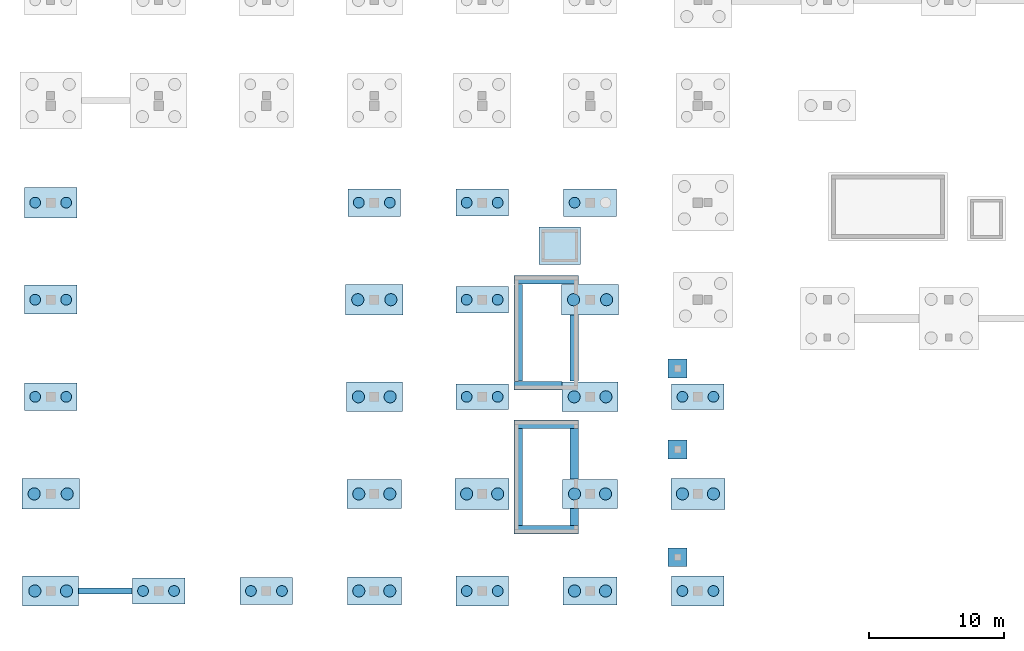
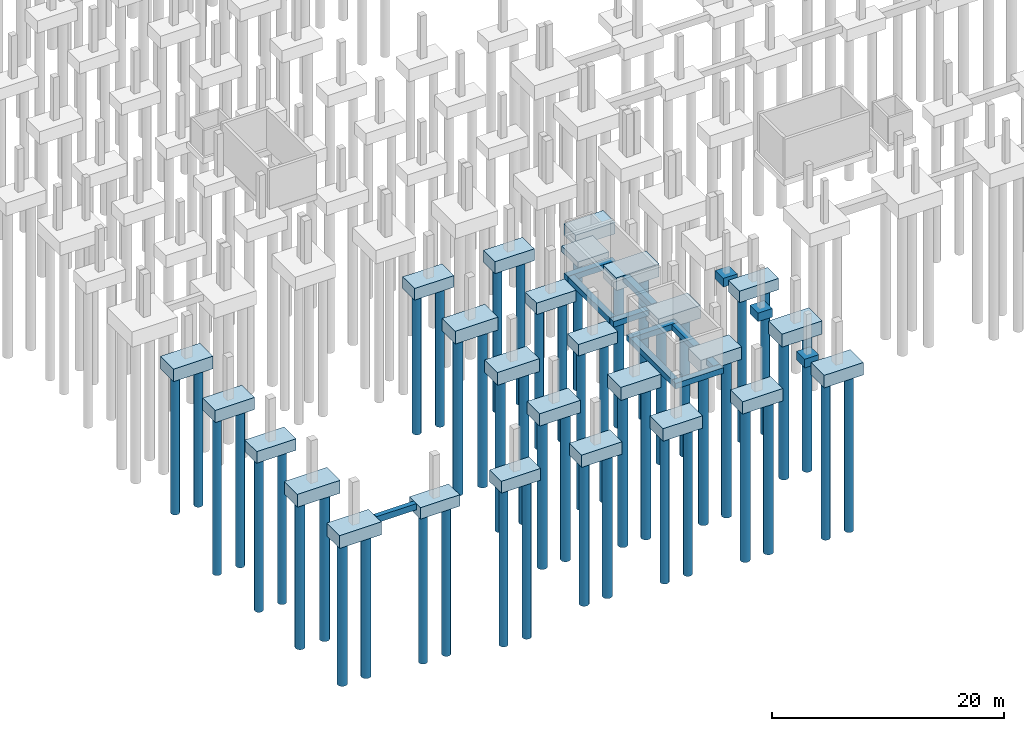
# One storey, part 1 of 36: 49 piles, 39 footings.
"""IFC4 building model written with IfcOpenShell, lengths in metres."""

from ifc_helpers import new_model, si_unit, direction, frame, origin, origin_2d, place, context, subcontext, project, spatial, rectangle, circle, extrude, material, layer, layer_set, material_profile, profile_set, type_object, element, save


model = new_model("IFC4")

# Units and contexts
model_context = context("Model", 3, precision=1e-05, world=origin(), true_north=direction((0.0, 1.0)))
body_context = subcontext(model_context, "Body", "Model", "MODEL_VIEW")
ifc_project = project(units=[si_unit("LENGTHUNIT", "METRE"), si_unit("AREAUNIT", "SQUARE_METRE"), si_unit("VOLUMEUNIT", "CUBIC_METRE"), si_unit("PLANEANGLEUNIT", "RADIAN"), si_unit("MASSUNIT", "GRAM", prefix="KILO")], contexts=[model_context])

# Site, building, storey
site_placement = place(None, origin())
site = spatial("IfcSite", under=ifc_project, at=site_placement, CompositionType="ELEMENT")
building_placement = place(site_placement, origin())
building = spatial("IfcBuilding", under=site, at=building_placement, Name="Chiffa Square Polytechnic", CompositionType="ELEMENT")
storey_placement = place(building_placement, frame((0.0, 0.0, -4.5)))
storey = spatial("IfcBuildingStorey", under=building, at=storey_placement, Name="B1", CompositionType="ELEMENT", Elevation=-4.5)

# Footings
ifc_material = material(Name="Concrete C35/45", Category="concrete")
ifc_layer_1 = layer(ifc_material, 0.659912109375, Name="Concrete C35/45")
ifc_layer_set_1 = layer_set([ifc_layer_1], Name="Concrete C35/45")
footing_type_1 = type_object("IfcFootingType", Name="FTG-BEAM-460X660", PredefinedType="FOOTING_BEAM", material=ifc_layer_set_1)
footing_1_placement = place(storey_placement, frame((4.06201171875, 0.0, -0.66015625), z_axis=(0.0, 0.0, 1.0), x_axis=(1.0, 0.0, 0.0)))
element("IfcFooting", 1, at=footing_1_placement, inside=storey, type_object=footing_type_1, Name="Footing tie beam FB-B1-049", PredefinedType="FOOTING_BEAM", context=body_context, shape_type="SweptSolid", body=[
    extrude(rectangle(XDim=3.965087890625, YDim=0.4599609375, at=origin_2d()), origin(), (0.0, 0.0, 1.0), 0.659912109375),
])
ifc_layer_2 = layer(ifc_material, 0.89990234375, Name="Concrete C35/45")
ifc_layer_set_2 = layer_set([ifc_layer_2], Name="Concrete C35/45")
footing_type_2 = type_object("IfcFootingType", Name="FTG-PAD-1400X1400X900", PredefinedType="PAD_FOOTING", material=ifc_layer_set_2)
for number, where, z_axis, x_axis, name in (
    (2, (46.5, 2.5, -0.89990234375), (0.0, 0.0, 1.0), (1.0, 0.0, 0.0), "Apron slab support pad footing PF-APR-SUP-01"),
    (3, (46.5, 10.5, -0.89990234375), (0.0, 0.0, 1.0), (1.0, 0.0, 0.0), "Apron slab support pad footing PF-APR-SUP-02"),
    (4, (46.5, 16.5, -0.89990234375), (0.0, 0.0, 1.0), (1.0, 0.0, 0.0), "Apron slab support pad footing PF-APR-SUP-03"),
):
    element("IfcFooting", number, at=place(storey_placement, frame(where, z_axis=z_axis, x_axis=x_axis)), inside=storey, type_object=footing_type_2, Name=name, PredefinedType="PAD_FOOTING", context=body_context, shape_type="SweptSolid", body=[
        extrude(rectangle(XDim=1.39990234375, YDim=1.39990234375, at=origin_2d()), origin(), (0.0, 0.0, 1.0), 0.89990234375),
    ])
ifc_layer_3 = layer(ifc_material, 0.60009765625, Name="Concrete C35/45")
ifc_layer_set_3 = layer_set([ifc_layer_3], Name="Concrete C35/45")
footing_type_3 = type_object("IfcFootingType", Name="FTG-PAD-3100X2800X600", PredefinedType="PAD_FOOTING", material=ifc_layer_set_3)
footing_2_placement = place(storey_placement, frame((37.75, 25.60009765625, -0.60009765625), z_axis=(0.0, 0.0, 1.0), x_axis=(1.0, 0.0, 0.0)))
element("IfcFooting", 5, at=footing_2_placement, inside=storey, type_object=footing_type_3, Name="Lift pit pad footing PFG-PIT-LP-V3-1", PredefinedType="PAD_FOOTING", context=body_context, shape_type="SweptSolid", body=[
    extrude(rectangle(XDim=3.10009765625, YDim=2.800048828125, at=origin_2d()), origin(), (0.0, 0.0, 1.0), 0.60009765625),
])
ifc_layer_4 = layer(ifc_material, 0.60009765625, Name="Concrete C35/45")
ifc_layer_set_4 = layer_set([ifc_layer_4], Name="Concrete C35/45")
footing_type_4 = type_object("IfcFootingType", Name="FTG-PAD-3535X620X600", PredefinedType="PAD_FOOTING", material=ifc_layer_set_4)
footing_3_placement = place(storey_placement, frame((36.137939453125, 15.22998046875, -0.60009765625), z_axis=(0.0, 0.0, 1.0), x_axis=(1.0, 0.0, 0.0)))
element("IfcFooting", 6, at=footing_3_placement, inside=storey, type_object=footing_type_4, Name="Core pad footing PFG-CORE-CORE-V3B-S1", PredefinedType="PAD_FOOTING", context=body_context, shape_type="SweptSolid", body=[
    extrude(rectangle(XDim=3.534912109375, YDim=0.6201171875, at=origin_2d()), origin(), (0.0, 0.0, 1.0), 0.60009765625),
])
ifc_layer_5 = layer(ifc_material, 0.60009765625, Name="Concrete C35/45")
ifc_layer_set_5 = layer_set([ifc_layer_5], Name="Concrete C35/45")
footing_type_5 = type_object("IfcFootingType", Name="FTG-PAD-4760X620X600", PredefinedType="PAD_FOOTING", material=ifc_layer_set_5)
for number, where, z_axis, x_axis, name in (
    (7, (36.75, 4.530029296875, -0.60009765625), (0.0, 0.0, 1.0), (1.0, 0.0, 0.0), "Core pad footing PFG-CORE-CORE-V3A-S1"),
    (8, (36.75, 12.3701171875, -0.60009765625), (0.0, 0.0, 1.0), (1.0, 0.0, 0.0), "Core pad footing PFG-CORE-CORE-V3A-N1"),
    (9, (36.75, 23.070068359375, -0.60009765625), (0.0, 0.0, 1.0), (1.0, 0.0, 0.0), "Core pad footing PFG-CORE-CORE-V3B-N1"),
):
    element("IfcFooting", number, at=place(storey_placement, frame(where, z_axis=z_axis, x_axis=x_axis)), inside=storey, type_object=footing_type_5, Name=name, PredefinedType="PAD_FOOTING", context=body_context, shape_type="SweptSolid", body=[
        extrude(rectangle(XDim=4.760009765625, YDim=0.6201171875, at=origin_2d()), origin(), (0.0, 0.0, 1.0), 0.60009765625),
    ])
ifc_layer_6 = layer(ifc_material, 0.60009765625, Name="Concrete C35/45")
ifc_layer_set_6 = layer_set([ifc_layer_6], Name="Concrete C35/45")
footing_type_6 = type_object("IfcFootingType", Name="FTG-PAD-620X1245X600", PredefinedType="PAD_FOOTING", material=ifc_layer_set_6)
footing_4_placement = place(storey_placement, frame((38.820068359375, 5.48193359375, -0.60009765625), z_axis=(0.0, 0.0, 1.0), x_axis=(1.0, 0.0, 0.0)))
element("IfcFooting", 10, at=footing_4_placement, inside=storey, type_object=footing_type_6, Name="Core pad footing PFG-CORE-CORE-V3A-E1", PredefinedType="PAD_FOOTING", context=body_context, shape_type="SweptSolid", body=[
    extrude(rectangle(XDim=0.6201171875, YDim=1.2451171875, at=origin_2d()), origin(), (0.0, 0.0, 1.0), 0.60009765625),
])
ifc_layer_7 = layer(ifc_material, 0.60009765625, Name="Concrete C35/45")
ifc_layer_set_7 = layer_set([ifc_layer_7], Name="Concrete C35/45")
footing_type_7 = type_object("IfcFootingType", Name="FTG-PAD-620X3745X600", PredefinedType="PAD_FOOTING", material=ifc_layer_set_7)
footing_5_placement = place(storey_placement, frame((38.820068359375, 10.16796875, -0.60009765625), z_axis=(0.0, 0.0, 1.0), x_axis=(1.0, 0.0, 0.0)))
element("IfcFooting", 11, at=footing_5_placement, inside=storey, type_object=footing_type_7, Name="Core pad footing PFG-CORE-CORE-V3A-E2", PredefinedType="PAD_FOOTING", context=body_context, shape_type="SweptSolid", body=[
    extrude(rectangle(XDim=0.6201171875, YDim=3.7451171875, at=origin_2d()), origin(), (0.0, 0.0, 1.0), 0.60009765625),
])
ifc_layer_8 = layer(ifc_material, 0.60009765625, Name="Concrete C35/45")
ifc_layer_set_8 = layer_set([ifc_layer_8], Name="Concrete C35/45")
footing_type_8 = type_object("IfcFootingType", Name="FTG-PAD-620X4895X600", PredefinedType="PAD_FOOTING", material=ifc_layer_set_8)
footing_6_placement = place(storey_placement, frame((38.820068359375, 18.008056640625, -0.60009765625), z_axis=(0.0, 0.0, 1.0), x_axis=(1.0, 0.0, 0.0)))
element("IfcFooting", 12, at=footing_6_placement, inside=storey, type_object=footing_type_8, Name="Core pad footing PFG-CORE-CORE-V3B-E1", PredefinedType="PAD_FOOTING", context=body_context, shape_type="SweptSolid", body=[
    extrude(rectangle(XDim=0.6201171875, YDim=4.89501953125, at=origin_2d()), origin(), (0.0, 0.0, 1.0), 0.60009765625),
])
ifc_layer_9 = layer(ifc_material, 0.60009765625, Name="Concrete C35/45")
ifc_layer_set_9 = layer_set([ifc_layer_9], Name="Concrete C35/45")
footing_type_9 = type_object("IfcFootingType", Name="FTG-PAD-620X7180X600", PredefinedType="PAD_FOOTING", material=ifc_layer_set_9)
for number, where, z_axis, x_axis, name in (
    (13, (34.679931640625, 8.449951171875, -0.60009765625), (0.0, 0.0, 1.0), (1.0, 0.0, 0.0), "Core pad footing PFG-CORE-CORE-V3A-W1"),
    (14, (34.679931640625, 19.14990234375, -0.60009765625), (0.0, 0.0, 1.0), (1.0, 0.0, 0.0), "Core pad footing PFG-CORE-CORE-V3B-W1"),
):
    element("IfcFooting", number, at=place(storey_placement, frame(where, z_axis=z_axis, x_axis=x_axis)), inside=storey, type_object=footing_type_9, Name=name, PredefinedType="PAD_FOOTING", context=body_context, shape_type="SweptSolid", body=[
        extrude(rectangle(XDim=0.6201171875, YDim=7.179931640625, at=origin_2d()), origin(), (0.0, 0.0, 1.0), 0.60009765625),
    ])
ifc_layer_10 = layer(ifc_material, 1.199951171875, Name="Concrete C35/45")
ifc_layer_set_10 = layer_set([ifc_layer_10], Name="Concrete C35/45")
footing_type_10 = type_object("IfcFootingType", Name="FTG-PC-3900X1900X1200", PredefinedType="PILE_CAP", material=ifc_layer_set_10)
for number, where, z_axis, x_axis, name in (
    (15, (8.0, 0.0, -1.2001953125), (0.0, 0.0, 1.0), (1.0, 0.0, 0.0), "Pile cap PC-B1-057"),
    (16, (32.0, 14.39990234375, -1.2001953125), (0.0, 0.0, 1.0), (1.0, 0.0, 0.0), "Pile cap PC-B1-069"),
    (17, (48.0, 14.39990234375, -1.2001953125), (0.0, 0.0, 1.0), (1.0, 0.0, 0.0), "Pile cap PC-B1-081"),
):
    element("IfcFooting", number, at=place(storey_placement, frame(where, z_axis=z_axis, x_axis=x_axis)), inside=storey, type_object=footing_type_10, Name=name, PredefinedType="PILE_CAP", context=body_context, shape_type="SweptSolid", body=[
        extrude(rectangle(XDim=3.89990234375, YDim=1.89990234375, at=origin_2d()), origin(), (0.0, 0.0, 1.0), 1.199951171875),
    ])
ifc_layer_11 = layer(ifc_material, 1.199951171875, Name="Concrete C35/45")
ifc_layer_set_11 = layer_set([ifc_layer_11], Name="Concrete C35/45")
footing_type_11 = type_object("IfcFootingType", Name="FTG-PC-3900X1950X1200", PredefinedType="PILE_CAP", material=ifc_layer_set_11)
footing_7_placement = place(storey_placement, frame((32.0, 21.60009765625, -1.2001953125), z_axis=(0.0, 0.0, 1.0), x_axis=(1.0, 0.0, 0.0)))
element("IfcFooting", 18, at=footing_7_placement, inside=storey, type_object=footing_type_11, Name="Pile cap PC-B1-070", PredefinedType="PILE_CAP", context=body_context, shape_type="SweptSolid", body=[
    extrude(rectangle(XDim=3.89990234375, YDim=1.949951171875, at=origin_2d()), origin(), (0.0, 0.0, 1.0), 1.199951171875),
])
ifc_layer_12 = layer(ifc_material, 1.25, Name="Concrete C35/45")
ifc_layer_set_12 = layer_set([ifc_layer_12], Name="Concrete C35/45")
footing_type_12 = type_object("IfcFootingType", Name="FTG-PC-3900X2000X1250", PredefinedType="PILE_CAP", material=ifc_layer_set_12)
for number, where, z_axis, x_axis, name in (
    (19, (16.0, 0.0, -1.25), (0.0, 0.0, 1.0), (1.0, 0.0, 0.0), "Pile cap PC-B1-059"),
    (20, (32.0, 28.800048828125, -1.25), (0.0, 0.0, 1.0), (1.0, 0.0, 0.0), "Pile cap PC-B1-071"),
):
    element("IfcFooting", number, at=place(storey_placement, frame(where, z_axis=z_axis, x_axis=x_axis)), inside=storey, type_object=footing_type_12, Name=name, PredefinedType="PILE_CAP", context=body_context, shape_type="SweptSolid", body=[
        extrude(rectangle(XDim=3.89990234375, YDim=2.0, at=origin_2d()), origin(), (0.0, 0.0, 1.0), 1.25),
    ])
ifc_layer_13 = layer(ifc_material, 1.219970703125, Name="Concrete C35/45")
ifc_layer_set_13 = layer_set([ifc_layer_13], Name="Concrete C35/45")
footing_type_13 = type_object("IfcFootingType", Name="FTG-PC-3900X2050X1220", PredefinedType="PILE_CAP", material=ifc_layer_set_13)
for number, where, z_axis, x_axis, name in (
    (21, (0.0, 14.39990234375, -1.22021484375), (0.0, 0.0, 1.0), (1.0, 0.0, 0.0), "Pile cap PC-B1-053"),
    (22, (24.0, 28.800048828125, -1.22021484375), (0.0, 0.0, 1.0), (1.0, 0.0, 0.0), "Pile cap PC-B1-065"),
    (23, (40.0, 28.800048828125, -1.22021484375), (0.0, 0.0, 1.0), (1.0, 0.0, 0.0), "Pile cap PC-B1-077"),
):
    element("IfcFooting", number, at=place(storey_placement, frame(where, z_axis=z_axis, x_axis=x_axis)), inside=storey, type_object=footing_type_13, Name=name, PredefinedType="PILE_CAP", context=body_context, shape_type="SweptSolid", body=[
        extrude(rectangle(XDim=3.89990234375, YDim=2.050048828125, at=origin_2d()), origin(), (0.0, 0.0, 1.0), 1.219970703125),
    ])
ifc_layer_14 = layer(ifc_material, 1.280029296875, Name="Concrete C35/45")
ifc_layer_set_14 = layer_set([ifc_layer_14], Name="Concrete C35/45")
footing_type_14 = type_object("IfcFootingType", Name="FTG-PC-3900X2150X1280", PredefinedType="PILE_CAP", material=ifc_layer_set_14)
footing_8_placement = place(storey_placement, frame((0.0, 21.60009765625, -1.27978515625), z_axis=(0.0, 0.0, 1.0), x_axis=(1.0, 0.0, 0.0)))
element("IfcFooting", 24, at=footing_8_placement, inside=storey, type_object=footing_type_14, Name="Pile cap PC-B1-054", PredefinedType="PILE_CAP", context=body_context, shape_type="SweptSolid", body=[
    extrude(rectangle(XDim=3.89990234375, YDim=2.14990234375, at=origin_2d()), origin(), (0.0, 0.0, 1.0), 1.280029296875),
])
ifc_layer_15 = layer(ifc_material, 1.320068359375, Name="Concrete C35/45")
ifc_layer_set_15 = layer_set([ifc_layer_15], Name="Concrete C35/45")
footing_type_15 = type_object("IfcFootingType", Name="FTG-PC-3900X2250X1320", PredefinedType="PILE_CAP", material=ifc_layer_set_15)
for number, where, z_axis, x_axis, name in (
    (25, (0.0, 28.800048828125, -1.31982421875), (0.0, 0.0, 1.0), (1.0, 0.0, 0.0), "Pile cap PC-B1-055"),
    (26, (32.0, 0.0, -1.31982421875), (0.0, 0.0, 1.0), (1.0, 0.0, 0.0), "Pile cap PC-B1-067"),
    (27, (48.0, 0.0, -1.31982421875), (0.0, 0.0, 1.0), (1.0, 0.0, 0.0), "Pile cap PC-B1-079"),
):
    element("IfcFooting", number, at=place(storey_placement, frame(where, z_axis=z_axis, x_axis=x_axis)), inside=storey, type_object=footing_type_15, Name=name, PredefinedType="PILE_CAP", context=body_context, shape_type="SweptSolid", body=[
        extrude(rectangle(XDim=3.89990234375, YDim=2.25, at=origin_2d()), origin(), (0.0, 0.0, 1.0), 1.320068359375),
    ])
ifc_layer_16 = layer(ifc_material, 1.300048828125, Name="Concrete C35/45")
ifc_layer_set_16 = layer_set([ifc_layer_16], Name="Concrete C35/45")
footing_type_16 = type_object("IfcFootingType", Name="FTG-PC-4000X2100X1300", PredefinedType="PILE_CAP", material=ifc_layer_set_16)
for number, where, z_axis, x_axis, name in (
    (28, (24.0, 0.0, -1.2998046875), (0.0, 0.0, 1.0), (1.0, 0.0, 0.0), "Pile cap PC-B1-061"),
    (29, (40.0, 0.0, -1.2998046875), (0.0, 0.0, 1.0), (1.0, 0.0, 0.0), "Pile cap PC-B1-073"),
):
    element("IfcFooting", number, at=place(storey_placement, frame(where, z_axis=z_axis, x_axis=x_axis)), inside=storey, type_object=footing_type_16, Name=name, PredefinedType="PILE_CAP", context=body_context, shape_type="SweptSolid", body=[
        extrude(rectangle(XDim=4.0, YDim=2.10009765625, at=origin_2d()), origin(), (0.0, 0.0, 1.0), 1.300048828125),
    ])
ifc_layer_17 = layer(ifc_material, 1.3798828125, Name="Concrete C35/45")
ifc_layer_set_17 = layer_set([ifc_layer_17], Name="Concrete C35/45")
footing_type_17 = type_object("IfcFootingType", Name="FTG-PC-4000X2300X1380", PredefinedType="PILE_CAP", material=ifc_layer_set_17)
for number, where, z_axis, x_axis, name in (
    (30, (32.0, 7.199951171875, -1.3798828125), (0.0, 0.0, 1.0), (1.0, 0.0, 0.0), "Pile cap PC-B1-068"),
    (31, (48.0, 7.199951171875, -1.3798828125), (0.0, 0.0, 1.0), (1.0, 0.0, 0.0), "Pile cap PC-B1-080"),
):
    element("IfcFooting", number, at=place(storey_placement, frame(where, z_axis=z_axis, x_axis=x_axis)), inside=storey, type_object=footing_type_17, Name=name, PredefinedType="PILE_CAP", context=body_context, shape_type="SweptSolid", body=[
        extrude(rectangle(XDim=4.0, YDim=2.300048828125, at=origin_2d()), origin(), (0.0, 0.0, 1.0), 1.3798828125),
    ])
ifc_layer_18 = layer(ifc_material, 1.300048828125, Name="Concrete C35/45")
ifc_layer_set_18 = layer_set([ifc_layer_18], Name="Concrete C35/45")
footing_type_18 = type_object("IfcFootingType", Name="FTG-PC-4050X2150X1300", PredefinedType="PILE_CAP", material=ifc_layer_set_18)
for number, where, z_axis, x_axis, name in (
    (32, (24.0, 7.199951171875, -1.2998046875), (0.0, 0.0, 1.0), (1.0, 0.0, 0.0), "Pile cap PC-B1-062"),
    (33, (40.0, 7.199951171875, -1.2998046875), (0.0, 0.0, 1.0), (1.0, 0.0, 0.0), "Pile cap PC-B1-074"),
):
    element("IfcFooting", number, at=place(storey_placement, frame(where, z_axis=z_axis, x_axis=x_axis)), inside=storey, type_object=footing_type_18, Name=name, PredefinedType="PILE_CAP", context=body_context, shape_type="SweptSolid", body=[
        extrude(rectangle(XDim=4.050048828125, YDim=2.14990234375, at=origin_2d()), origin(), (0.0, 0.0, 1.0), 1.300048828125),
    ])
ifc_layer_19 = layer(ifc_material, 1.35009765625, Name="Concrete C35/45")
ifc_layer_set_19 = layer_set([ifc_layer_19], Name="Concrete C35/45")
footing_type_19 = type_object("IfcFootingType", Name="FTG-PC-4150X2200X1350", PredefinedType="PILE_CAP", material=ifc_layer_set_19)
for number, where, z_axis, x_axis, name in (
    (34, (0.0, 0.0, -1.35009765625), (0.0, 0.0, 1.0), (1.0, 0.0, 0.0), "Pile cap PC-B1-051"),
    (35, (24.0, 14.39990234375, -1.35009765625), (0.0, 0.0, 1.0), (1.0, 0.0, 0.0), "Pile cap PC-B1-063"),
    (36, (40.0, 14.39990234375, -1.35009765625), (0.0, 0.0, 1.0), (1.0, 0.0, 0.0), "Pile cap PC-B1-075"),
):
    element("IfcFooting", number, at=place(storey_placement, frame(where, z_axis=z_axis, x_axis=x_axis)), inside=storey, type_object=footing_type_19, Name=name, PredefinedType="PILE_CAP", context=body_context, shape_type="SweptSolid", body=[
        extrude(rectangle(XDim=4.14990234375, YDim=2.199951171875, at=origin_2d()), origin(), (0.0, 0.0, 1.0), 1.35009765625),
    ])
ifc_layer_20 = layer(ifc_material, 1.35009765625, Name="Concrete C35/45")
ifc_layer_set_20 = layer_set([ifc_layer_20], Name="Concrete C35/45")
footing_type_20 = type_object("IfcFootingType", Name="FTG-PC-4250X2250X1350", PredefinedType="PILE_CAP", material=ifc_layer_set_20)
for number, where, z_axis, x_axis, name in (
    (37, (0.0, 7.199951171875, -1.35009765625), (0.0, 0.0, 1.0), (1.0, 0.0, 0.0), "Pile cap PC-B1-052"),
    (38, (24.0, 21.60009765625, -1.35009765625), (0.0, 0.0, 1.0), (1.0, 0.0, 0.0), "Pile cap PC-B1-064"),
    (39, (40.0, 21.60009765625, -1.35009765625), (0.0, 0.0, 1.0), (1.0, 0.0, 0.0), "Pile cap PC-B1-076"),
):
    element("IfcFooting", number, at=place(storey_placement, frame(where, z_axis=z_axis, x_axis=x_axis)), inside=storey, type_object=footing_type_20, Name=name, PredefinedType="PILE_CAP", context=body_context, shape_type="SweptSolid", body=[
        extrude(rectangle(XDim=4.25, YDim=2.25, at=origin_2d()), origin(), (0.0, 0.0, 1.0), 1.35009765625),
    ])

# Piles
ifc_material_profile_1 = material_profile(ifc_material, circle(Radius=0.39990234375, at=origin_2d()), Name="PILE D800")
ifc_profile_set_1 = profile_set([ifc_material_profile_1], Name="Concrete C35/45")
pile_type_1 = type_object("IfcPileType", Name="PILE-D800", PredefinedType="BORED", material=ifc_profile_set_1)
for number, where, z_axis, x_axis, name in (
    (40, (-1.14990234375, 14.39990234375, -1.1201171875), (0.0, 0.0, -1.0), (1.0, 0.0, 0.0), "Bored pile PL-B1--012-0144-1"),
    (41, (1.14990234375, 14.39990234375, -1.1201171875), (0.0, 0.0, -1.0), (1.0, 0.0, 0.0), "Bored pile PL-B1-0012-0144-2"),
):
    element("IfcPile", number, at=place(storey_placement, frame(where, z_axis=z_axis, x_axis=x_axis)), inside=storey, type_object=pile_type_1, Name=name, PredefinedType="BORED", context=body_context, shape_type="SweptSolid", body=[
        extrude(circle(Radius=0.39990234375, at=origin_2d()), origin(), (0.0, 0.0, 1.0), 16.3798828125),
    ])
for number, where, z_axis, x_axis, name in (
    (42, (-1.14990234375, 21.60009765625, -1.179931640625), (0.0, 0.0, -1.0), (1.0, 0.0, 0.0), "Bored pile PL-B1--012-0216-1"),
    (43, (1.14990234375, 21.60009765625, -1.179931640625), (0.0, 0.0, -1.0), (1.0, 0.0, 0.0), "Bored pile PL-B1-0012-0216-2"),
):
    element("IfcPile", number, at=place(storey_placement, frame(where, z_axis=z_axis, x_axis=x_axis)), inside=storey, type_object=pile_type_1, Name=name, PredefinedType="BORED", context=body_context, shape_type="SweptSolid", body=[
        extrude(circle(Radius=0.39990234375, at=origin_2d()), origin(), (0.0, 0.0, 1.0), 16.820068359375),
    ])
for number, where, z_axis, x_axis, name in (
    (44, (-1.14990234375, 28.800048828125, -1.219970703125), (0.0, 0.0, -1.0), (1.0, 0.0, 0.0), "Bored pile PL-B1--012-0288-1"),
    (45, (1.14990234375, 28.800048828125, -1.219970703125), (0.0, 0.0, -1.0), (1.0, 0.0, 0.0), "Bored pile PL-B1-0012-0288-2"),
):
    element("IfcPile", number, at=place(storey_placement, frame(where, z_axis=z_axis, x_axis=x_axis)), inside=storey, type_object=pile_type_1, Name=name, PredefinedType="BORED", context=body_context, shape_type="SweptSolid", body=[
        extrude(circle(Radius=0.39990234375, at=origin_2d()), origin(), (0.0, 0.0, 1.0), 14.780029296875),
    ])
for number, where, z_axis, x_axis, name in (
    (46, (6.85009765625, 0.0, -1.10009765625), (0.0, 0.0, -1.0), (1.0, 0.0, 0.0), "Bored pile PL-B1-0068-0000-1"),
    (47, (9.14990234375, 0.0, -1.10009765625), (0.0, 0.0, -1.0), (1.0, 0.0, 0.0), "Bored pile PL-B1-0092-0000-2"),
):
    element("IfcPile", number, at=place(storey_placement, frame(where, z_axis=z_axis, x_axis=x_axis)), inside=storey, type_object=pile_type_1, Name=name, PredefinedType="BORED", context=body_context, shape_type="SweptSolid", body=[
        extrude(circle(Radius=0.39990234375, at=origin_2d()), origin(), (0.0, 0.0, 1.0), 15.89990234375),
    ])
for number, where, z_axis, x_axis, name in (
    (48, (14.85009765625, 0.0, -1.14990234375), (0.0, 0.0, -1.0), (1.0, 0.0, 0.0), "Bored pile PL-B1-0148-0000-1"),
    (49, (17.14990234375, 0.0, -1.14990234375), (0.0, 0.0, -1.0), (1.0, 0.0, 0.0), "Bored pile PL-B1-0172-0000-2"),
):
    element("IfcPile", number, at=place(storey_placement, frame(where, z_axis=z_axis, x_axis=x_axis)), inside=storey, type_object=pile_type_1, Name=name, PredefinedType="BORED", context=body_context, shape_type="SweptSolid", body=[
        extrude(circle(Radius=0.39990234375, at=origin_2d()), origin(), (0.0, 0.0, 1.0), 16.85009765625),
    ])
for number, where, z_axis, x_axis, name in (
    (50, (22.85009765625, 28.800048828125, -1.1201171875), (0.0, 0.0, -1.0), (1.0, 0.0, 0.0), "Bored pile PL-B1-0228-0288-1"),
    (51, (25.14990234375, 28.800048828125, -1.1201171875), (0.0, 0.0, -1.0), (1.0, 0.0, 0.0), "Bored pile PL-B1-0252-0288-2"),
):
    element("IfcPile", number, at=place(storey_placement, frame(where, z_axis=z_axis, x_axis=x_axis)), inside=storey, type_object=pile_type_1, Name=name, PredefinedType="BORED", context=body_context, shape_type="SweptSolid", body=[
        extrude(circle(Radius=0.39990234375, at=origin_2d()), origin(), (0.0, 0.0, 1.0), 14.8798828125),
    ])
for number, where, z_axis, x_axis, name in (
    (52, (30.85009765625, 0.0, -1.219970703125), (0.0, 0.0, -1.0), (1.0, 0.0, 0.0), "Bored pile PL-B1-0308-0000-1"),
    (53, (33.14990234375, 0.0, -1.219970703125), (0.0, 0.0, -1.0), (1.0, 0.0, 0.0), "Bored pile PL-B1-0332-0000-2"),
):
    element("IfcPile", number, at=place(storey_placement, frame(where, z_axis=z_axis, x_axis=x_axis)), inside=storey, type_object=pile_type_1, Name=name, PredefinedType="BORED", context=body_context, shape_type="SweptSolid", body=[
        extrude(circle(Radius=0.39990234375, at=origin_2d()), origin(), (0.0, 0.0, 1.0), 15.780029296875),
    ])
for number, where, z_axis, x_axis, name in (
    (54, (30.85009765625, 14.39990234375, -1.10009765625), (0.0, 0.0, -1.0), (1.0, 0.0, 0.0), "Bored pile PL-B1-0308-0144-1"),
    (55, (33.14990234375, 14.39990234375, -1.10009765625), (0.0, 0.0, -1.0), (1.0, 0.0, 0.0), "Bored pile PL-B1-0332-0144-2"),
):
    element("IfcPile", number, at=place(storey_placement, frame(where, z_axis=z_axis, x_axis=x_axis)), inside=storey, type_object=pile_type_1, Name=name, PredefinedType="BORED", context=body_context, shape_type="SweptSolid", body=[
        extrude(circle(Radius=0.39990234375, at=origin_2d()), origin(), (0.0, 0.0, 1.0), 16.89990234375),
    ])
for number, where, z_axis, x_axis, name in (
    (56, (30.85009765625, 21.60009765625, -1.10009765625), (0.0, 0.0, -1.0), (1.0, 0.0, 0.0), "Bored pile PL-B1-0308-0216-1"),
    (57, (33.14990234375, 21.60009765625, -1.10009765625), (0.0, 0.0, -1.0), (1.0, 0.0, 0.0), "Bored pile PL-B1-0332-0216-2"),
):
    element("IfcPile", number, at=place(storey_placement, frame(where, z_axis=z_axis, x_axis=x_axis)), inside=storey, type_object=pile_type_1, Name=name, PredefinedType="BORED", context=body_context, shape_type="SweptSolid", body=[
        extrude(circle(Radius=0.39990234375, at=origin_2d()), origin(), (0.0, 0.0, 1.0), 14.89990234375),
    ])
for number, where, z_axis, x_axis, name in (
    (58, (30.85009765625, 28.800048828125, -1.14990234375), (0.0, 0.0, -1.0), (1.0, 0.0, 0.0), "Bored pile PL-B1-0308-0288-1"),
    (59, (33.14990234375, 28.800048828125, -1.14990234375), (0.0, 0.0, -1.0), (1.0, 0.0, 0.0), "Bored pile PL-B1-0332-0288-2"),
):
    element("IfcPile", number, at=place(storey_placement, frame(where, z_axis=z_axis, x_axis=x_axis)), inside=storey, type_object=pile_type_1, Name=name, PredefinedType="BORED", context=body_context, shape_type="SweptSolid", body=[
        extrude(circle(Radius=0.39990234375, at=origin_2d()), origin(), (0.0, 0.0, 1.0), 15.35009765625),
    ])
pile_placement = place(storey_placement, frame((38.85009765625, 28.800048828125, -1.1201171875), z_axis=(0.0, 0.0, -1.0), x_axis=(1.0, 0.0, 0.0)))
element("IfcPile", 60, at=pile_placement, inside=storey, type_object=pile_type_1, Name="Bored pile PL-B1-0388-0288-1", PredefinedType="BORED", context=body_context, shape_type="SweptSolid", body=[
    extrude(circle(Radius=0.39990234375, at=origin_2d()), origin(), (0.0, 0.0, 1.0), 15.8798828125),
])
for number, where, z_axis, x_axis, name in (
    (61, (46.85009765625, 0.0, -1.219970703125), (0.0, 0.0, -1.0), (1.0, 0.0, 0.0), "Bored pile PL-B1-0468-0000-1"),
    (62, (49.14990234375, 0.0, -1.219970703125), (0.0, 0.0, -1.0), (1.0, 0.0, 0.0), "Bored pile PL-B1-0492-0000-2"),
):
    element("IfcPile", number, at=place(storey_placement, frame(where, z_axis=z_axis, x_axis=x_axis)), inside=storey, type_object=pile_type_1, Name=name, PredefinedType="BORED", context=body_context, shape_type="SweptSolid", body=[
        extrude(circle(Radius=0.39990234375, at=origin_2d()), origin(), (0.0, 0.0, 1.0), 16.780029296875),
    ])
for number, where, z_axis, x_axis, name in (
    (63, (46.85009765625, 14.39990234375, -1.10009765625), (0.0, 0.0, -1.0), (1.0, 0.0, 0.0), "Bored pile PL-B1-0468-0144-1"),
    (64, (49.14990234375, 14.39990234375, -1.10009765625), (0.0, 0.0, -1.0), (1.0, 0.0, 0.0), "Bored pile PL-B1-0492-0144-2"),
):
    element("IfcPile", number, at=place(storey_placement, frame(where, z_axis=z_axis, x_axis=x_axis)), inside=storey, type_object=pile_type_1, Name=name, PredefinedType="BORED", context=body_context, shape_type="SweptSolid", body=[
        extrude(circle(Radius=0.39990234375, at=origin_2d()), origin(), (0.0, 0.0, 1.0), 15.39990234375),
    ])
ifc_material_profile_2 = material_profile(ifc_material, circle(Radius=0.449951171875, at=origin_2d()), Name="PILE D900")
ifc_profile_set_2 = profile_set([ifc_material_profile_2], Name="Concrete C35/45")
pile_type_2 = type_object("IfcPileType", Name="PILE-D900", PredefinedType="BORED", material=ifc_profile_set_2)
for number, where, z_axis, x_axis, name in (
    (65, (-1.175048828125, 0.0, -1.25), (0.0, 0.0, -1.0), (1.0, 0.0, 0.0), "Bored pile PL-B1--012-0000-1"),
    (66, (1.175048828125, 0.0, -1.25), (0.0, 0.0, -1.0), (1.0, 0.0, 0.0), "Bored pile PL-B1-0012-0000-2"),
):
    element("IfcPile", number, at=place(storey_placement, frame(where, z_axis=z_axis, x_axis=x_axis)), inside=storey, type_object=pile_type_2, Name=name, PredefinedType="BORED", context=body_context, shape_type="SweptSolid", body=[
        extrude(circle(Radius=0.449951171875, at=origin_2d()), origin(), (0.0, 0.0, 1.0), 15.25),
    ])
for number, where, z_axis, x_axis, name in (
    (67, (-1.22509765625, 7.199951171875, -1.25), (0.0, 0.0, -1.0), (1.0, 0.0, 0.0), "Bored pile PL-B1--012-0072-1"),
    (68, (1.22509765625, 7.199951171875, -1.25), (0.0, 0.0, -1.0), (1.0, 0.0, 0.0), "Bored pile PL-B1-0012-0072-2"),
):
    element("IfcPile", number, at=place(storey_placement, frame(where, z_axis=z_axis, x_axis=x_axis)), inside=storey, type_object=pile_type_2, Name=name, PredefinedType="BORED", context=body_context, shape_type="SweptSolid", body=[
        extrude(circle(Radius=0.449951171875, at=origin_2d()), origin(), (0.0, 0.0, 1.0), 15.75),
    ])
for number, where, z_axis, x_axis, name in (
    (69, (22.85009765625, 0.0, -1.199951171875), (0.0, 0.0, -1.0), (1.0, 0.0, 0.0), "Bored pile PL-B1-0228-0000-1"),
    (70, (25.14990234375, 0.0, -1.199951171875), (0.0, 0.0, -1.0), (1.0, 0.0, 0.0), "Bored pile PL-B1-0252-0000-2"),
):
    element("IfcPile", number, at=place(storey_placement, frame(where, z_axis=z_axis, x_axis=x_axis)), inside=storey, type_object=pile_type_2, Name=name, PredefinedType="BORED", context=body_context, shape_type="SweptSolid", body=[
        extrude(circle(Radius=0.449951171875, at=origin_2d()), origin(), (0.0, 0.0, 1.0), 15.300048828125),
    ])
for number, where, z_axis, x_axis, name in (
    (71, (22.85009765625, 7.199951171875, -1.199951171875), (0.0, 0.0, -1.0), (1.0, 0.0, 0.0), "Bored pile PL-B1-0228-0072-1"),
    (72, (25.14990234375, 7.199951171875, -1.199951171875), (0.0, 0.0, -1.0), (1.0, 0.0, 0.0), "Bored pile PL-B1-0252-0072-2"),
):
    element("IfcPile", number, at=place(storey_placement, frame(where, z_axis=z_axis, x_axis=x_axis)), inside=storey, type_object=pile_type_2, Name=name, PredefinedType="BORED", context=body_context, shape_type="SweptSolid", body=[
        extrude(circle(Radius=0.449951171875, at=origin_2d()), origin(), (0.0, 0.0, 1.0), 15.800048828125),
    ])
for number, where, z_axis, x_axis, name in (
    (73, (22.824951171875, 14.39990234375, -1.25), (0.0, 0.0, -1.0), (1.0, 0.0, 0.0), "Bored pile PL-B1-0228-0144-1"),
    (74, (25.175048828125, 14.39990234375, -1.25), (0.0, 0.0, -1.0), (1.0, 0.0, 0.0), "Bored pile PL-B1-0252-0144-2"),
):
    element("IfcPile", number, at=place(storey_placement, frame(where, z_axis=z_axis, x_axis=x_axis)), inside=storey, type_object=pile_type_2, Name=name, PredefinedType="BORED", context=body_context, shape_type="SweptSolid", body=[
        extrude(circle(Radius=0.449951171875, at=origin_2d()), origin(), (0.0, 0.0, 1.0), 16.25),
    ])
for number, where, z_axis, x_axis, name in (
    (75, (22.77490234375, 21.60009765625, -1.25), (0.0, 0.0, -1.0), (1.0, 0.0, 0.0), "Bored pile PL-B1-0228-0216-1"),
    (76, (25.22509765625, 21.60009765625, -1.25), (0.0, 0.0, -1.0), (1.0, 0.0, 0.0), "Bored pile PL-B1-0252-0216-2"),
):
    element("IfcPile", number, at=place(storey_placement, frame(where, z_axis=z_axis, x_axis=x_axis)), inside=storey, type_object=pile_type_2, Name=name, PredefinedType="BORED", context=body_context, shape_type="SweptSolid", body=[
        extrude(circle(Radius=0.449951171875, at=origin_2d()), origin(), (0.0, 0.0, 1.0), 16.75),
    ])
for number, where, z_axis, x_axis, name in (
    (77, (30.85009765625, 7.199951171875, -1.280029296875), (0.0, 0.0, -1.0), (1.0, 0.0, 0.0), "Bored pile PL-B1-0308-0072-1"),
    (78, (33.14990234375, 7.199951171875, -1.280029296875), (0.0, 0.0, -1.0), (1.0, 0.0, 0.0), "Bored pile PL-B1-0332-0072-2"),
):
    element("IfcPile", number, at=place(storey_placement, frame(where, z_axis=z_axis, x_axis=x_axis)), inside=storey, type_object=pile_type_2, Name=name, PredefinedType="BORED", context=body_context, shape_type="SweptSolid", body=[
        extrude(circle(Radius=0.449951171875, at=origin_2d()), origin(), (0.0, 0.0, 1.0), 16.219970703125),
    ])
for number, where, z_axis, x_axis, name in (
    (79, (38.85009765625, 0.0, -1.199951171875), (0.0, 0.0, -1.0), (1.0, 0.0, 0.0), "Bored pile PL-B1-0388-0000-1"),
    (80, (41.14990234375, 0.0, -1.199951171875), (0.0, 0.0, -1.0), (1.0, 0.0, 0.0), "Bored pile PL-B1-0412-0000-2"),
):
    element("IfcPile", number, at=place(storey_placement, frame(where, z_axis=z_axis, x_axis=x_axis)), inside=storey, type_object=pile_type_2, Name=name, PredefinedType="BORED", context=body_context, shape_type="SweptSolid", body=[
        extrude(circle(Radius=0.449951171875, at=origin_2d()), origin(), (0.0, 0.0, 1.0), 16.300048828125),
    ])
for number, where, z_axis, x_axis, name in (
    (81, (38.85009765625, 7.199951171875, -1.199951171875), (0.0, 0.0, -1.0), (1.0, 0.0, 0.0), "Bored pile PL-B1-0388-0072-1"),
    (82, (41.14990234375, 7.199951171875, -1.199951171875), (0.0, 0.0, -1.0), (1.0, 0.0, 0.0), "Bored pile PL-B1-0412-0072-2"),
):
    element("IfcPile", number, at=place(storey_placement, frame(where, z_axis=z_axis, x_axis=x_axis)), inside=storey, type_object=pile_type_2, Name=name, PredefinedType="BORED", context=body_context, shape_type="SweptSolid", body=[
        extrude(circle(Radius=0.449951171875, at=origin_2d()), origin(), (0.0, 0.0, 1.0), 16.800048828125),
    ])
for number, where, z_axis, x_axis, name in (
    (83, (38.824951171875, 14.39990234375, -1.25), (0.0, 0.0, -1.0), (1.0, 0.0, 0.0), "Bored pile PL-B1-0388-0144-1"),
    (84, (41.175048828125, 14.39990234375, -1.25), (0.0, 0.0, -1.0), (1.0, 0.0, 0.0), "Bored pile PL-B1-0412-0144-2"),
):
    element("IfcPile", number, at=place(storey_placement, frame(where, z_axis=z_axis, x_axis=x_axis)), inside=storey, type_object=pile_type_2, Name=name, PredefinedType="BORED", context=body_context, shape_type="SweptSolid", body=[
        extrude(circle(Radius=0.449951171875, at=origin_2d()), origin(), (0.0, 0.0, 1.0), 14.75),
    ])
for number, where, z_axis, x_axis, name in (
    (85, (38.77490234375, 21.60009765625, -1.25), (0.0, 0.0, -1.0), (1.0, 0.0, 0.0), "Bored pile PL-B1-0388-0216-1"),
    (86, (41.22509765625, 21.60009765625, -1.25), (0.0, 0.0, -1.0), (1.0, 0.0, 0.0), "Bored pile PL-B1-0412-0216-2"),
):
    element("IfcPile", number, at=place(storey_placement, frame(where, z_axis=z_axis, x_axis=x_axis)), inside=storey, type_object=pile_type_2, Name=name, PredefinedType="BORED", context=body_context, shape_type="SweptSolid", body=[
        extrude(circle(Radius=0.449951171875, at=origin_2d()), origin(), (0.0, 0.0, 1.0), 15.25),
    ])
for number, where, z_axis, x_axis, name in (
    (87, (46.85009765625, 7.199951171875, -1.280029296875), (0.0, 0.0, -1.0), (1.0, 0.0, 0.0), "Bored pile PL-B1-0468-0072-1"),
    (88, (49.14990234375, 7.199951171875, -1.280029296875), (0.0, 0.0, -1.0), (1.0, 0.0, 0.0), "Bored pile PL-B1-0492-0072-2"),
):
    element("IfcPile", number, at=place(storey_placement, frame(where, z_axis=z_axis, x_axis=x_axis)), inside=storey, type_object=pile_type_2, Name=name, PredefinedType="BORED", context=body_context, shape_type="SweptSolid", body=[
        extrude(circle(Radius=0.449951171875, at=origin_2d()), origin(), (0.0, 0.0, 1.0), 14.719970703125),
    ])

save(model, "model.ifc")
